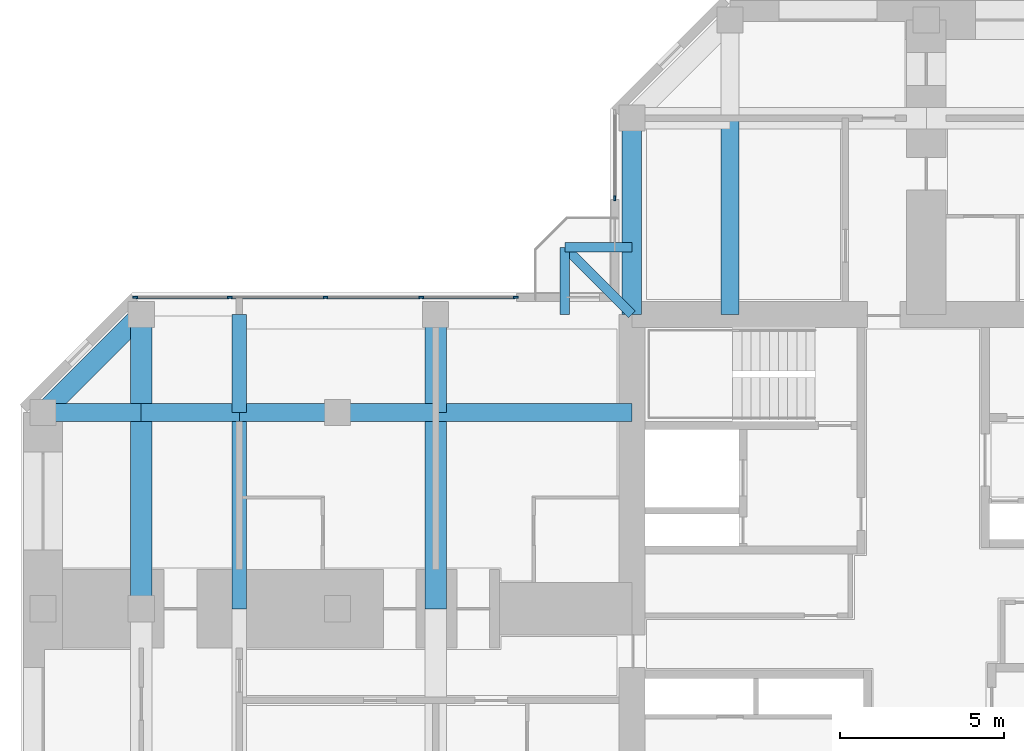
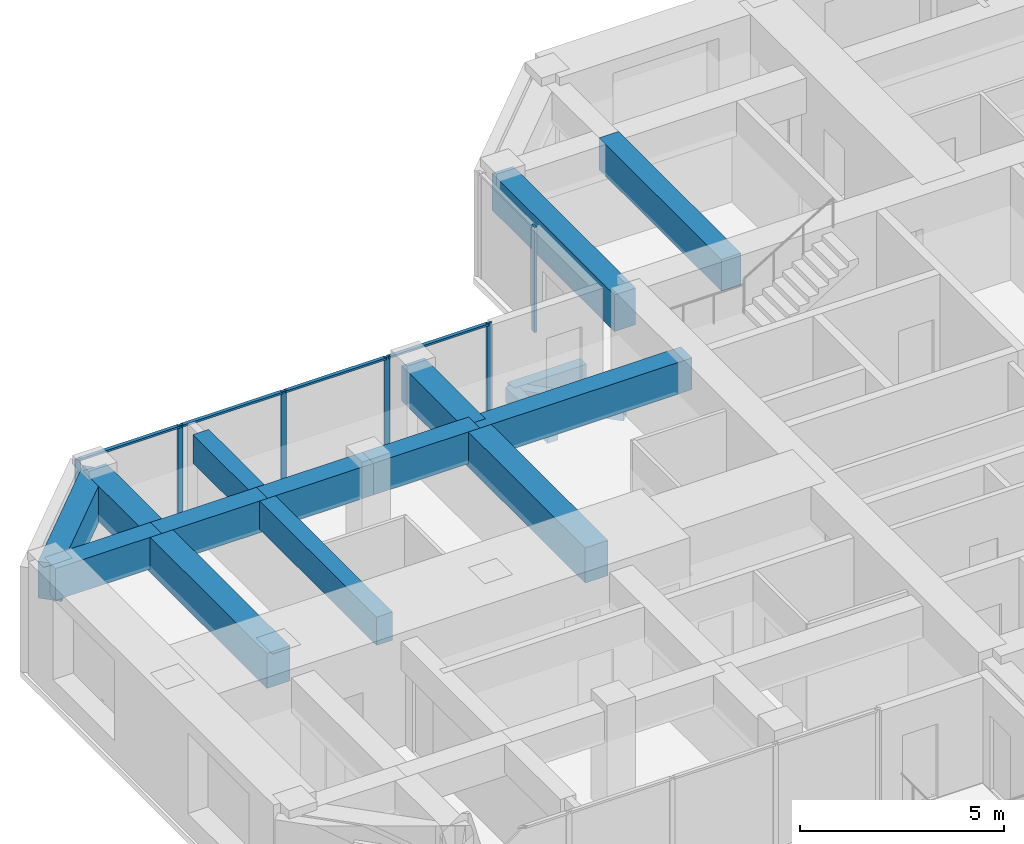
# One storey, part 4 of 13: 17 beams, 10 members, 2 elements without a shape of their own.
"""IFC4 building model written with IfcOpenShell, lengths in metres."""

from ifc_helpers import new_model, si_unit, direction, frame, origin, origin_2d, place, context, subcontext, project, spatial, rectangle, extrude, material, material_profile, profile_set, type_object, element, aggregate, save


model = new_model("IFC4")

# Units and contexts
model_context = context("Model", 3, precision=1e-05, world=origin(), true_north=direction((0.0, 1.0)))
body_context = subcontext(model_context, "Body", "Model", "MODEL_VIEW")
ifc_project = project(units=[si_unit("LENGTHUNIT", "METRE"), si_unit("AREAUNIT", "SQUARE_METRE"), si_unit("VOLUMEUNIT", "CUBIC_METRE"), si_unit("PLANEANGLEUNIT", "RADIAN"), si_unit("MASSUNIT", "GRAM", prefix="KILO")], contexts=[model_context])

# Site, building, storey
site_placement = place(None, origin())
site = spatial("IfcSite", under=ifc_project, at=site_placement, CompositionType="ELEMENT")
building_placement = place(site_placement, origin())
building = spatial("IfcBuilding", under=site, at=building_placement, Name="Torre Cruceta", CompositionType="ELEMENT")
storey_placement = place(building_placement, frame((0.0, 0.0, 249.300048828125)))
storey = spatial("IfcBuildingStorey", under=building, at=storey_placement, Name="L64", CompositionType="ELEMENT", Elevation=249.300048828125)

# Beams
ifc_material_1 = material(Name="Concrete G60 (fck 60 MPa)", Category="concrete")
ifc_material_profile_1 = material_profile(ifc_material_1, rectangle(XDim=0.300048828125, YDim=0.449951171875, at=origin_2d()), Name="RC 300X450")
ifc_profile_set_1 = profile_set([ifc_material_profile_1], Name="Concrete G60 (fck 60 MPa)")
beam_type_1 = type_object("IfcBeamType", Name="BALCONY CANTILEVER BEAM RC 300X450", PredefinedType="BEAM", material=ifc_profile_set_1)
beam_1_placement = place(storey_placement, frame((-9.0, 9.0, -0.405029296875), z_axis=(-0.707106781187, 0.707106781187, 0.0), x_axis=(-0.707106781187, -0.707106781187, 0.0)))
element("IfcBeam", 1, at=beam_1_placement, inside=storey, type_object=beam_type_1, Name="BB1 balcony beam L64 N", PredefinedType="BEAM", context=body_context, shape_type="SweptSolid", body=[
    extrude(rectangle(XDim=0.300048828125, YDim=0.449951171875, at=origin_2d()), origin(), (0.0, 0.0, 1.0), 2.89990234375),
])
for number, where, z_axis, x_axis, name in (
    (2, (-11.050537109375, 9.0, -0.405029296875), (0.0, 1.0, 0.0), (-1.0, 0.0, 0.0), "BB1 balcony edge beam L64 N-X"),
    (3, (-9.0, 11.050537109375, -0.405029296875), (-1.0, 0.0, 0.0), (0.0, -1.0, 0.0), "BB1 balcony edge beam L64 N-Y"),
):
    element("IfcBeam", number, at=place(storey_placement, frame(where, z_axis=z_axis, x_axis=x_axis)), inside=storey, type_object=beam_type_1, Name=name, PredefinedType="BEAM", context=body_context, shape_type="SweptSolid", body=[
        extrude(rectangle(XDim=0.300048828125, YDim=0.449951171875, at=origin_2d()), origin(), (0.0, 0.0, 1.0), 2.050537109375),
    ])
ifc_material_2 = material(Name="Concrete G60 (fck 60 MPa)", Category="concrete")
ifc_material_profile_2 = material_profile(ifc_material_2, rectangle(XDim=0.550048828125, YDim=0.949951171875, at=origin_2d()), Name="RC 550X950")
ifc_profile_set_2 = profile_set([ifc_material_profile_2], Name="Concrete G60 (fck 60 MPa)")
beam_type_2 = type_object("IfcBeamType", Name="COLUMN LINE BEAM RC 550X950", PredefinedType="BEAM", material=ifc_profile_set_2)
for number, where, z_axis, x_axis, name in (
    (4, (-6.0, 9.0, 2.675048828125), (0.0, 1.0, 0.0), (-1.0, 0.0, 0.0), "LB3 L64 N col+ 1"),
    (5, (-9.0, 6.0, 2.675048828125), (-1.0, 0.0, 0.0), (0.0, -1.0, 0.0), "LB3 L64 W col- 1"),
):
    element("IfcBeam", number, at=place(storey_placement, frame(where, z_axis=z_axis, x_axis=x_axis)), inside=storey, type_object=beam_type_2, Name=name, PredefinedType="BEAM", context=body_context, shape_type="SweptSolid", body=[
        extrude(rectangle(XDim=0.550048828125, YDim=0.949951171875, at=origin_2d()), origin(), (0.0, 0.0, 1.0), 6.0),
    ])
for number, where, z_axis, x_axis, name in (
    (6, (-15.0, 6.0, 2.675048828125), (-1.0, 0.0, 0.0), (0.0, -1.0, 0.0), "LB3 L64 W col- 2"),
    (7, (-18.0, 6.0, 2.675048828125), (-1.0, 0.0, 0.0), (0.0, -1.0, 0.0), "LB3 L64 W col- 3"),
    (8, (-21.0, 6.0, 2.675048828125), (-1.0, 0.0, 0.0), (0.0, -1.0, 0.0), "LB3 L64 W col- 4"),
    (9, (-24.0, 6.0, 2.675048828125), (-1.0, 0.0, 0.0), (0.0, -1.0, 0.0), "LB3 L64 W col- 5"),
):
    element("IfcBeam", number, at=place(storey_placement, frame(where, z_axis=z_axis, x_axis=x_axis)), inside=storey, type_object=beam_type_2, Name=name, PredefinedType="BEAM", context=body_context, shape_type="SweptSolid", body=[
        extrude(rectangle(XDim=0.550048828125, YDim=0.949951171875, at=origin_2d()), origin(), (0.0, 0.0, 1.0), 3.0),
    ])
ifc_material_3 = material(Name="Concrete G60 (fck 60 MPa)", Category="concrete")
ifc_material_profile_3 = material_profile(ifc_material_3, rectangle(XDim=0.64990234375, YDim=1.050048828125, at=origin_2d()), Name="RC 650X1050")
ifc_profile_set_3 = profile_set([ifc_material_profile_3], Name="Concrete G60 (fck 60 MPa)")
beam_type_3 = type_object("IfcBeamType", Name="CROSS BEAM RC 650X1050", PredefinedType="BEAM", material=ifc_profile_set_3)
beam_2_placement = place(storey_placement, frame((-15.0, 9.0, 2.625), z_axis=(0.0, -1.0, 0.0), x_axis=(1.0, 0.0, 0.0)))
element("IfcBeam", 10, at=beam_2_placement, inside=storey, type_object=beam_type_3, Name="GB3 L64 W cross15 1", PredefinedType="BEAM", context=body_context, shape_type="SweptSolid", body=[
    extrude(rectangle(XDim=0.64990234375, YDim=1.050048828125, at=origin_2d()), origin(), (0.0, 0.0, 1.0), 3.0),
])
beam_3_placement = place(storey_placement, frame((-15.0, 6.0, 2.625), z_axis=(0.0, -1.0, 0.0), x_axis=(1.0, 0.0, 0.0)))
element("IfcBeam", 11, at=beam_3_placement, inside=storey, type_object=beam_type_3, Name="GB3 L64 W cross15 2", PredefinedType="BEAM", context=body_context, shape_type="SweptSolid", body=[
    extrude(rectangle(XDim=0.64990234375, YDim=1.050048828125, at=origin_2d()), origin(), (0.0, 0.0, 1.0), 6.0),
])
beam_4_placement = place(storey_placement, frame((-24.0, 9.0, 2.625), z_axis=(0.0, -1.0, 0.0), x_axis=(1.0, 0.0, 0.0)))
element("IfcBeam", 12, at=beam_4_placement, inside=storey, type_object=beam_type_3, Name="GB3 L64 W cross24 1", PredefinedType="BEAM", context=body_context, shape_type="SweptSolid", body=[
    extrude(rectangle(XDim=0.64990234375, YDim=1.050048828125, at=origin_2d()), origin(), (0.0, 0.0, 1.0), 3.0),
])
beam_5_placement = place(storey_placement, frame((-24.0, 6.0, 2.625), z_axis=(0.0, -1.0, 0.0), x_axis=(1.0, 0.0, 0.0)))
element("IfcBeam", 13, at=beam_5_placement, inside=storey, type_object=beam_type_3, Name="GB3 L64 W cross24 2", PredefinedType="BEAM", context=body_context, shape_type="SweptSolid", body=[
    extrude(rectangle(XDim=0.64990234375, YDim=1.050048828125, at=origin_2d()), origin(), (0.0, 0.0, 1.0), 6.0),
])

# Curtain wall, member
ifc_material_4 = material(Name="Aluminium unitised curtain wall", Category="aluminium")
curtain_wall_type = type_object("IfcCurtainWallType", Name="CURTAIN WALL CW-D CO-LIVING UPPER", PredefinedType="USERDEFINED", material=ifc_material_4)
curtain_wall_1_placement = place(storey_placement, origin())
curtain_wall_1 = element("IfcCurtainWall", 14, at=curtain_wall_1_placement, inside=storey, type_object=curtain_wall_type, Name="CW-D L64 N side 09", ObjectType="UNITISED", PredefinedType="USERDEFINED")
ifc_material_5 = material(Name="Aluminium mullion", Category="aluminium")
ifc_material_profile_4 = material_profile(ifc_material_5, rectangle(XDim=0.06005859375, YDim=0.14990234375, at=origin_2d()), Name="AL 60X150")
ifc_profile_set_4 = profile_set([ifc_material_profile_4], Name="Aluminium mullion")
member_type_1 = type_object("IfcMemberType", Name="CW-D MULLION 60X150", PredefinedType="MULLION", material=ifc_profile_set_4)
member_1_placement = place(storey_placement, frame((-9.52001953125, 12.550048828125, 0.0), z_axis=(0.0, 0.0, 1.0), x_axis=(1.0, 0.0, 0.0)))
member_1 = element("IfcMember", 15, at=member_1_placement, type_object=member_type_1, Name="CW-D mullion 2", PredefinedType="MULLION", context=body_context, shape_type="SweptSolid", body=[
    extrude(rectangle(XDim=0.06005859375, YDim=0.14990234375, at=origin_2d()), origin(), (0.0, 0.0, 1.0), 3.14990234375),
])
aggregate(curtain_wall_1, [member_1])

# Curtain wall, members
curtain_wall_2_placement = place(storey_placement, origin())
curtain_wall_2 = element("IfcCurtainWall", 16, at=curtain_wall_2_placement, inside=storey, type_object=curtain_wall_type, Name="CW-D L64 W side 10", ObjectType="UNITISED", PredefinedType="USERDEFINED")
member_2_placement = place(storey_placement, frame((-12.550048828125, 9.52001953125, 0.0), z_axis=(0.0, 0.0, 1.0), x_axis=(0.0, -1.0, 0.0)))
member_2 = element("IfcMember", 17, at=member_2_placement, type_object=member_type_1, Name="CW-D mullion 1", PredefinedType="MULLION", context=body_context, shape_type="SweptSolid", body=[
    extrude(rectangle(XDim=0.06005859375, YDim=0.14990234375, at=origin_2d()), origin(), (0.0, 0.0, 1.0), 3.14990234375),
])
member_3_placement = place(storey_placement, frame((-15.44384765625, 9.52001953125, 0.0), z_axis=(0.0, 0.0, 1.0), x_axis=(0.0, -1.0, 0.0)))
member_3 = element("IfcMember", 18, at=member_3_placement, type_object=member_type_1, Name="CW-D mullion 2", PredefinedType="MULLION", context=body_context, shape_type="SweptSolid", body=[
    extrude(rectangle(XDim=0.06005859375, YDim=0.14990234375, at=origin_2d()), origin(), (0.0, 0.0, 1.0), 3.14990234375),
])
member_4_placement = place(storey_placement, frame((-18.36767578125, 9.52001953125, 0.0), z_axis=(0.0, 0.0, 1.0), x_axis=(0.0, -1.0, 0.0)))
member_4 = element("IfcMember", 19, at=member_4_placement, type_object=member_type_1, Name="CW-D mullion 3", PredefinedType="MULLION", context=body_context, shape_type="SweptSolid", body=[
    extrude(rectangle(XDim=0.06005859375, YDim=0.14990234375, at=origin_2d()), origin(), (0.0, 0.0, 1.0), 3.14990234375),
])
member_5_placement = place(storey_placement, frame((-21.29150390625, 9.52001953125, 0.0), z_axis=(0.0, 0.0, 1.0), x_axis=(0.0, -1.0, 0.0)))
member_5 = element("IfcMember", 20, at=member_5_placement, type_object=member_type_1, Name="CW-D mullion 4", PredefinedType="MULLION", context=body_context, shape_type="SweptSolid", body=[
    extrude(rectangle(XDim=0.06005859375, YDim=0.14990234375, at=origin_2d()), origin(), (0.0, 0.0, 1.0), 3.14990234375),
])
member_6_placement = place(storey_placement, frame((-24.185302734375, 9.52001953125, 0.0), z_axis=(0.0, 0.0, 1.0), x_axis=(0.0, -1.0, 0.0)))
member_6 = element("IfcMember", 21, at=member_6_placement, type_object=member_type_1, Name="CW-D mullion 5", PredefinedType="MULLION", context=body_context, shape_type="SweptSolid", body=[
    extrude(rectangle(XDim=0.06005859375, YDim=0.14990234375, at=origin_2d()), origin(), (0.0, 0.0, 1.0), 3.14990234375),
])
ifc_material_6 = material(Name="Aluminium transom", Category="aluminium")
ifc_material_profile_5 = material_profile(ifc_material_6, rectangle(XDim=0.10009765625, YDim=0.06005859375, at=origin_2d()), Name="AL 100X60")
ifc_profile_set_5 = profile_set([ifc_material_profile_5], Name="Aluminium transom")
member_type_2 = type_object("IfcMemberType", Name="CW-D TRANSOM 60X100", PredefinedType="USERDEFINED", material=ifc_profile_set_5)
member_7_placement = place(storey_placement, frame((-12.580078125, 9.52001953125, 3.119873046875), z_axis=(-1.0, 0.0, 0.0), x_axis=(0.0, -1.0, 0.0)))
member_7 = element("IfcMember", 22, at=member_7_placement, type_object=member_type_2, Name="CW-D transom 1", ObjectType="TRANSOM", PredefinedType="USERDEFINED", context=body_context, shape_type="SweptSolid", body=[
    extrude(rectangle(XDim=0.10009765625, YDim=0.06005859375, at=origin_2d()), origin(), (0.0, 0.0, 1.0), 2.833740234375),
])
member_8_placement = place(storey_placement, frame((-15.473876953125, 9.52001953125, 3.119873046875), z_axis=(-1.0, 0.0, 0.0), x_axis=(0.0, -1.0, 0.0)))
member_8 = element("IfcMember", 23, at=member_8_placement, type_object=member_type_2, Name="CW-D transom 2", ObjectType="TRANSOM", PredefinedType="USERDEFINED", context=body_context, shape_type="SweptSolid", body=[
    extrude(rectangle(XDim=0.10009765625, YDim=0.06005859375, at=origin_2d()), origin(), (0.0, 0.0, 1.0), 2.86376953125),
])
member_9_placement = place(storey_placement, frame((-18.397705078125, 9.52001953125, 3.119873046875), z_axis=(-1.0, 0.0, 0.0), x_axis=(0.0, -1.0, 0.0)))
member_9 = element("IfcMember", 24, at=member_9_placement, type_object=member_type_2, Name="CW-D transom 3", ObjectType="TRANSOM", PredefinedType="USERDEFINED", context=body_context, shape_type="SweptSolid", body=[
    extrude(rectangle(XDim=0.10009765625, YDim=0.06005859375, at=origin_2d()), origin(), (0.0, 0.0, 1.0), 2.86376953125),
])
member_10_placement = place(storey_placement, frame((-21.321533203125, 9.52001953125, 3.119873046875), z_axis=(-1.0, 0.0, 0.0), x_axis=(0.0, -1.0, 0.0)))
member_10 = element("IfcMember", 25, at=member_10_placement, type_object=member_type_2, Name="CW-D transom 4", ObjectType="TRANSOM", PredefinedType="USERDEFINED", context=body_context, shape_type="SweptSolid", body=[
    extrude(rectangle(XDim=0.10009765625, YDim=0.06005859375, at=origin_2d()), origin(), (0.0, 0.0, 1.0), 2.833740234375),
])
aggregate(curtain_wall_2, [member_2, member_3, member_4, member_5, member_6, member_7, member_8, member_9, member_10])

# Beams
ifc_material_7 = material(Name="Concrete G60 (fck 60 MPa)", Category="concrete")
ifc_material_profile_6 = material_profile(ifc_material_7, rectangle(XDim=0.449951171875, YDim=0.85009765625, at=origin_2d()), Name="RC 450X850")
ifc_profile_set_6 = profile_set([ifc_material_profile_6], Name="Concrete G60 (fck 60 MPa)")
beam_type_4 = type_object("IfcBeamType", Name="SECONDARY BEAM RC 450X850", PredefinedType="JOIST", material=ifc_profile_set_6)
beam_6_placement = place(storey_placement, frame((-21.0, 9.0, 2.724853515625), z_axis=(0.0, -1.0, 0.0), x_axis=(1.0, 0.0, 0.0)))
element("IfcBeam", 26, at=beam_6_placement, inside=storey, type_object=beam_type_4, Name="JB4 L64 W sec21 1", PredefinedType="JOIST", context=body_context, shape_type="SweptSolid", body=[
    extrude(rectangle(XDim=0.449951171875, YDim=0.85009765625, at=origin_2d()), origin(), (0.0, 0.0, 1.0), 3.0),
])
beam_7_placement = place(storey_placement, frame((-21.0, 6.0, 2.724853515625), z_axis=(0.0, -1.0, 0.0), x_axis=(1.0, 0.0, 0.0)))
element("IfcBeam", 27, at=beam_7_placement, inside=storey, type_object=beam_type_4, Name="JB4 L64 W sec21 2", PredefinedType="JOIST", context=body_context, shape_type="SweptSolid", body=[
    extrude(rectangle(XDim=0.449951171875, YDim=0.85009765625, at=origin_2d()), origin(), (0.0, 0.0, 1.0), 6.0),
])
ifc_material_8 = material(Name="Concrete G60 (fck 60 MPa)", Category="concrete")
ifc_material_profile_7 = material_profile(ifc_material_8, rectangle(XDim=0.60009765625, YDim=1.10009765625, at=origin_2d()), Name="RC 600X1100")
ifc_profile_set_7 = profile_set([ifc_material_profile_7], Name="Concrete G60 (fck 60 MPa)")
beam_type_5 = type_object("IfcBeamType", Name="SPANDREL BEAM RC 600X1100", PredefinedType="SPANDREL", material=ifc_profile_set_7)
beam_8_placement = place(storey_placement, frame((-9.0, 9.0, 2.599853515625), z_axis=(0.0, 1.0, 0.0), x_axis=(-1.0, 0.0, 0.0)))
element("IfcBeam", 28, at=beam_8_placement, inside=storey, type_object=beam_type_5, Name="SB2 L64 N side+ 1", PredefinedType="SPANDREL", context=body_context, shape_type="SweptSolid", body=[
    extrude(rectangle(XDim=0.60009765625, YDim=1.10009765625, at=origin_2d()), origin(), (0.0, 0.0, 1.0), 6.0),
])
beam_9_placement = place(storey_placement, frame((-24.0, 9.0, 2.599853515625), z_axis=(-0.707106781187, -0.707106781187, 0.0), x_axis=(0.707106781187, -0.707106781187, 0.0)))
element("IfcBeam", 29, at=beam_9_placement, inside=storey, type_object=beam_type_5, Name="SB2 L64 W side- 5", PredefinedType="SPANDREL", context=body_context, shape_type="SweptSolid", body=[
    extrude(rectangle(XDim=0.60009765625, YDim=1.10009765625, at=origin_2d()), origin(), (0.0, 0.0, 1.0), 4.24267578125),
])

save(model, "model.ifc")
